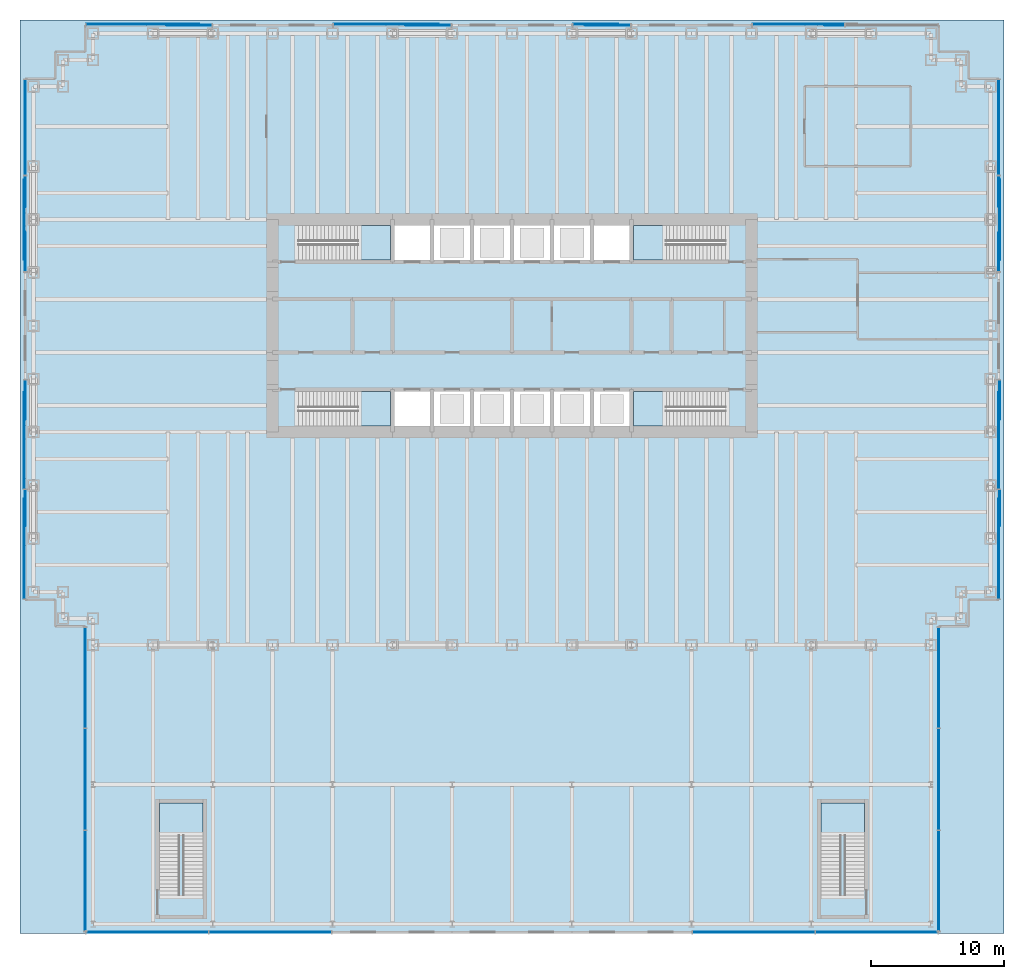
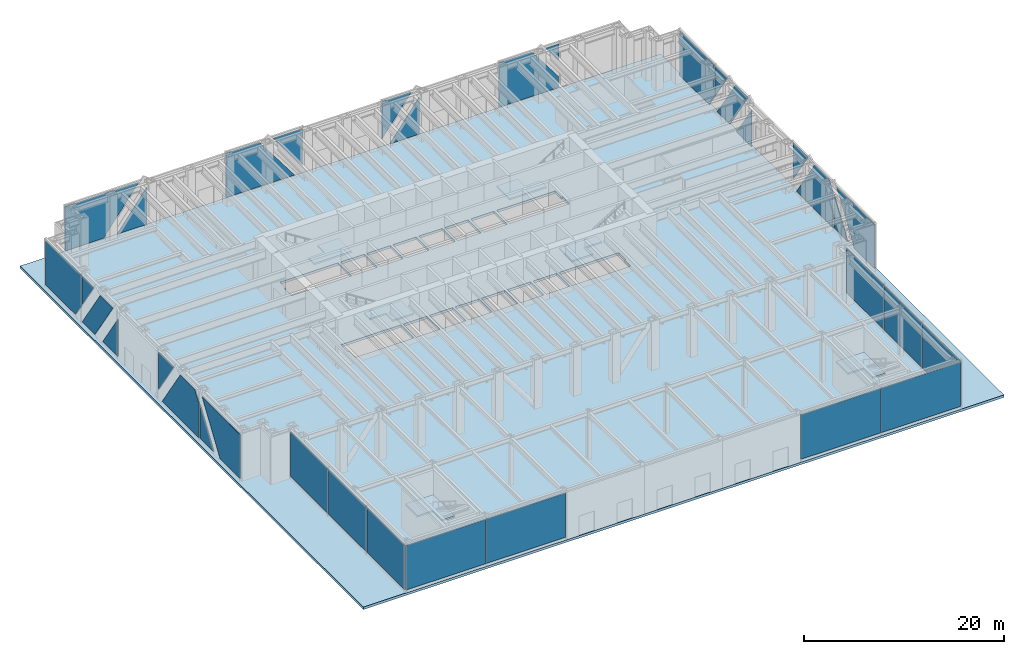
# One storey, part 10 of 17: 34 plates, 7 slabs, 18 elements without a shape of their own.
"""IFC4 building model written with IfcOpenShell, lengths in metres."""

from ifc_helpers import new_model, si_unit, direction, frame, origin, origin_2d, place, context, subcontext, project, spatial, polyline, rectangle, outline, extrude, material, layer, layer_set, type_object, element, aggregate, save


model = new_model("IFC4")

# Units and contexts
model_context = context("Model", 3, precision=1e-05, world=origin(), true_north=direction((0.0, 1.0)))
body_context = subcontext(model_context, "Body", "Model", "MODEL_VIEW")
ifc_project = project(units=[si_unit("LENGTHUNIT", "METRE"), si_unit("AREAUNIT", "SQUARE_METRE"), si_unit("VOLUMEUNIT", "CUBIC_METRE"), si_unit("PLANEANGLEUNIT", "RADIAN"), si_unit("MASSUNIT", "GRAM", prefix="KILO")], contexts=[model_context])

# Site, building, storey
site_placement = place(None, origin())
site = spatial("IfcSite", under=ifc_project, at=site_placement, CompositionType="ELEMENT")
building_placement = place(site_placement, origin())
building = spatial("IfcBuilding", under=site, at=building_placement, Name="Rheinbord Bourse Tower", CompositionType="ELEMENT")
storey_placement = place(building_placement, origin())
storey = spatial("IfcBuildingStorey", under=building, at=storey_placement, Name="L00", CompositionType="ELEMENT", Elevation=0.0)

# Slab
ifc_material_1 = material(Name="Concrete C30/37", Category="concrete")
ifc_layer_1 = layer(ifc_material_1, 0.300048828125)
ifc_layer_set_1 = layer_set([ifc_layer_1], Name="COMPOSITE FLOOR SLAB 300")
slab_type_1 = type_object("IfcSlabType", Name="COMPOSITE FLOOR SLAB 300", PredefinedType="FLOOR", material=ifc_layer_set_1)
slab_1_placement = place(storey_placement, frame((0.0, 0.0, -0.300048828125)))
element("IfcSlab", 1, at=slab_1_placement, inside=storey, type_object=slab_type_1, Name="Floor slab L00", PredefinedType="FLOOR", context=body_context, shape_type="SweptSolid", body=[
    extrude(outline(polyline([(-1.0, -21.699951171875), (-1.0, 47.0), (73.0, 47.0), (73.0, -21.699951171875), (-1.0, -21.699951171875)]), holes=[polyline([(19.949951171875, 19.050048828125), (26.85009765625, 19.050048828125), (26.85009765625, 16.449951171875), (20.10009765625, 16.449951171875), (20.10009765625, 17.64990234375), (19.949951171875, 17.64990234375), (19.949951171875, 19.050048828125)]), polyline([(26.85009765625, 31.550048828125), (26.85009765625, 28.949951171875), (19.949951171875, 28.949951171875), (19.949951171875, 30.35009765625), (20.10009765625, 30.35009765625), (20.10009765625, 31.550048828125), (26.85009765625, 31.550048828125)]), polyline([(45.14990234375, 16.449951171875), (45.14990234375, 19.050048828125), (52.050048828125, 19.050048828125), (52.050048828125, 17.64990234375), (51.89990234375, 17.64990234375), (51.89990234375, 16.449951171875), (45.14990234375, 16.449951171875)]), polyline([(52.050048828125, 28.949951171875), (45.14990234375, 28.949951171875), (45.14990234375, 31.550048828125), (51.89990234375, 31.550048828125), (51.89990234375, 30.35009765625), (52.050048828125, 30.35009765625), (52.050048828125, 28.949951171875)]), polyline([(27.14990234375, 16.449951171875), (27.14990234375, 19.050048828125), (29.85009765625, 19.050048828125), (29.85009765625, 16.449951171875), (27.14990234375, 16.449951171875)]), polyline([(27.14990234375, 28.949951171875), (27.14990234375, 31.550048828125), (29.85009765625, 31.550048828125), (29.85009765625, 28.949951171875), (27.14990234375, 28.949951171875)]), polyline([(30.14990234375, 16.449951171875), (30.14990234375, 19.050048828125), (32.85009765625, 19.050048828125), (32.85009765625, 16.449951171875), (30.14990234375, 16.449951171875)]), polyline([(30.14990234375, 28.949951171875), (30.14990234375, 31.550048828125), (32.85009765625, 31.550048828125), (32.85009765625, 28.949951171875), (30.14990234375, 28.949951171875)]), polyline([(33.14990234375, 16.449951171875), (33.14990234375, 19.050048828125), (35.85009765625, 19.050048828125), (35.85009765625, 16.449951171875), (33.14990234375, 16.449951171875)]), polyline([(33.14990234375, 28.949951171875), (33.14990234375, 31.550048828125), (35.85009765625, 31.550048828125), (35.85009765625, 28.949951171875), (33.14990234375, 28.949951171875)]), polyline([(36.14990234375, 16.449951171875), (36.14990234375, 19.050048828125), (38.85009765625, 19.050048828125), (38.85009765625, 16.449951171875), (36.14990234375, 16.449951171875)]), polyline([(36.14990234375, 28.949951171875), (36.14990234375, 31.550048828125), (38.85009765625, 31.550048828125), (38.85009765625, 28.949951171875), (36.14990234375, 28.949951171875)]), polyline([(39.14990234375, 16.449951171875), (39.14990234375, 19.050048828125), (41.85009765625, 19.050048828125), (41.85009765625, 16.449951171875), (39.14990234375, 16.449951171875)]), polyline([(39.14990234375, 28.949951171875), (39.14990234375, 31.550048828125), (41.85009765625, 31.550048828125), (41.85009765625, 28.949951171875), (39.14990234375, 28.949951171875)]), polyline([(42.14990234375, 16.449951171875), (42.14990234375, 19.050048828125), (44.85009765625, 19.050048828125), (44.85009765625, 16.449951171875), (42.14990234375, 16.449951171875)]), polyline([(42.14990234375, 28.949951171875), (42.14990234375, 31.550048828125), (44.85009765625, 31.550048828125), (44.85009765625, 28.949951171875), (42.14990234375, 28.949951171875)])]), origin(), (0.0, 0.0, 1.0), 0.300048828125),
])

# Curtain wall, plates
ifc_material_2 = material(Name="Dark glass and black aluminium", Category="aluminium")
curtain_wall_type = type_object("IfcCurtainWallType", Name="CW4 DARK GLASS CURTAIN WALL", PredefinedType="USERDEFINED", material=ifc_material_2)
curtain_wall_1_placement = place(storey_placement, origin())
curtain_wall_1 = element("IfcCurtainWall", 2, at=curtain_wall_1_placement, inside=storey, type_object=curtain_wall_type, Name="Curtain wall CW4 S L00", ObjectType="UNITISED CURTAIN WALL", PredefinedType="USERDEFINED")
ifc_material_3 = material(Name="Dark tinted triple insulating glass", Category="glass")
ifc_layer_2 = layer(ifc_material_3, 0.068115234375)
ifc_layer_set_2 = layer_set([ifc_layer_2], Name="CW4 DARK GLASS PANEL")
plate_type = type_object("IfcPlateType", Name="CW4 DARK GLASS PANEL", PredefinedType="CURTAIN_PANEL", material=ifc_layer_set_2)
plate_1_placement = place(storey_placement, frame((8.572509765625, -21.60009765625, 0.300048828125), z_axis=(0.0, 0.0, 1.0), x_axis=(1.0, 0.0, 0.0)))
plate_1 = element("IfcPlate", 3, at=plate_1_placement, type_object=plate_type, Name="CW4 panel 1.1", PredefinedType="CURTAIN_PANEL", context=body_context, shape_type="SweptSolid", body=[
    extrude(rectangle(XDim=9.1650390625, YDim=0.068115234375, at=origin_2d()), origin(), (0.0, 0.0, 1.0), 5.39990234375),
])
plate_2_placement = place(storey_placement, frame((17.827392578125, -21.60009765625, 0.300048828125), z_axis=(0.0, 0.0, 1.0), x_axis=(1.0, 0.0, 0.0)))
plate_2 = element("IfcPlate", 4, at=plate_2_placement, type_object=plate_type, Name="CW4 panel 2.1", PredefinedType="CURTAIN_PANEL", context=body_context, shape_type="SweptSolid", body=[
    extrude(rectangle(XDim=9.1650390625, YDim=0.068115234375, at=origin_2d()), origin(), (0.0, 0.0, 1.0), 5.39990234375),
])
aggregate(curtain_wall_1, [plate_1, plate_2])

curtain_wall_2_placement = place(storey_placement, origin())
curtain_wall_2 = element("IfcCurtainWall", 5, at=curtain_wall_2_placement, inside=storey, type_object=curtain_wall_type, Name="Curtain wall CW4 S L00", ObjectType="UNITISED CURTAIN WALL", PredefinedType="USERDEFINED")
plate_3_placement = place(storey_placement, frame((54.172607421875, -21.60009765625, 0.300048828125), z_axis=(0.0, 0.0, 1.0), x_axis=(1.0, 0.0, 0.0)))
plate_3 = element("IfcPlate", 6, at=plate_3_placement, type_object=plate_type, Name="CW4 panel 1.1", PredefinedType="CURTAIN_PANEL", context=body_context, shape_type="SweptSolid", body=[
    extrude(rectangle(XDim=9.1650390625, YDim=0.068115234375, at=origin_2d()), origin(), (0.0, 0.0, 1.0), 5.39990234375),
])
plate_4_placement = place(storey_placement, frame((63.427490234375, -21.60009765625, 0.300048828125), z_axis=(0.0, 0.0, 1.0), x_axis=(1.0, 0.0, 0.0)))
plate_4 = element("IfcPlate", 7, at=plate_4_placement, type_object=plate_type, Name="CW4 panel 2.1", PredefinedType="CURTAIN_PANEL", context=body_context, shape_type="SweptSolid", body=[
    extrude(rectangle(XDim=9.1650390625, YDim=0.068115234375, at=origin_2d()), origin(), (0.0, 0.0, 1.0), 5.39990234375),
])
aggregate(curtain_wall_2, [plate_3, plate_4])

curtain_wall_3_placement = place(storey_placement, origin())
curtain_wall_3 = element("IfcCurtainWall", 8, at=curtain_wall_3_placement, inside=storey, type_object=curtain_wall_type, Name="Curtain wall CW4 E L00", ObjectType="UNITISED CURTAIN WALL", PredefinedType="USERDEFINED")
plate_5_placement = place(storey_placement, frame((68.10009765625, -17.744140625, 0.300048828125), z_axis=(0.0, 0.0, 1.0), x_axis=(0.0, 1.0, 0.0)))
plate_5 = element("IfcPlate", 9, at=plate_5_placement, type_object=plate_type, Name="CW4 panel 1.1", PredefinedType="CURTAIN_PANEL", context=body_context, shape_type="SweptSolid", body=[
    extrude(rectangle(XDim=7.53173828125, YDim=0.068115234375, at=origin_2d()), origin(), (0.0, 0.0, 1.0), 5.39990234375),
])
plate_6_placement = place(storey_placement, frame((68.10009765625, -10.10009765625, 0.300048828125), z_axis=(0.0, 0.0, 1.0), x_axis=(0.0, 1.0, 0.0)))
plate_6 = element("IfcPlate", 10, at=plate_6_placement, type_object=plate_type, Name="CW4 panel 2.1", PredefinedType="CURTAIN_PANEL", context=body_context, shape_type="SweptSolid", body=[
    extrude(rectangle(XDim=7.57666015625, YDim=0.068115234375, at=origin_2d()), origin(), (0.0, 0.0, 1.0), 5.39990234375),
])
plate_7_placement = place(storey_placement, frame((68.10009765625, -2.455810546875, 0.300048828125), z_axis=(0.0, 0.0, 1.0), x_axis=(0.0, 1.0, 0.0)))
plate_7 = element("IfcPlate", 11, at=plate_7_placement, type_object=plate_type, Name="CW4 panel 3.1", PredefinedType="CURTAIN_PANEL", context=body_context, shape_type="SweptSolid", body=[
    extrude(rectangle(XDim=7.53173828125, YDim=0.068115234375, at=origin_2d()), origin(), (0.0, 0.0, 1.0), 5.39990234375),
])
aggregate(curtain_wall_3, [plate_5, plate_6, plate_7])

curtain_wall_4_placement = place(storey_placement, origin())
curtain_wall_4 = element("IfcCurtainWall", 12, at=curtain_wall_4_placement, inside=storey, type_object=curtain_wall_type, Name="Curtain wall CW4 E L00", ObjectType="UNITISED CURTAIN WALL", PredefinedType="USERDEFINED")
plate_8_placement = place(storey_placement, frame((72.63427734375, 3.489990234375, 0.300048828125), z_axis=(-1.0, 0.0, 0.0), x_axis=(0.0, 0.0, 1.0)))
plate_8 = element("IfcPlate", 13, at=plate_8_placement, type_object=plate_type, Name="CW4 glass facet 1", PredefinedType="CURTAIN_PANEL", context=body_context, shape_type="SweptSolid", body=[
    extrude(outline(polyline([(0.0, 0.0), (5.39990234375, 0.0), (5.39990234375, 7.5830078125), (0.0, 3.98291015625), (0.0, 0.0)])), origin(), (0.0, 0.0, 1.0), 0.068115234375),
])
plate_9_placement = place(storey_placement, frame((72.70703125, 11.655029296875, 0.300048828125), z_axis=(-1.0, 0.0, 0.0), x_axis=(0.0, -1.0, 0.0)))
plate_9 = element("IfcPlate", 14, at=plate_9_placement, type_object=plate_type, Name="CW4 glass facet 2", PredefinedType="CURTAIN_PANEL", context=body_context, shape_type="SweptSolid", body=[
    extrude(outline(polyline([(0.0, 0.0), (2.72802734375, 0.0), (0.0, 4.092041015625), (0.0, 0.0)])), origin(), (0.0, 0.0, 1.0), 0.068115234375),
])
plate_10_placement = place(storey_placement, frame((72.63427734375, 11.7451171875, 0.300048828125), z_axis=(-1.0, 0.0, 0.0), x_axis=(0.0, 0.0, 1.0)))
plate_10 = element("IfcPlate", 15, at=plate_10_placement, type_object=plate_type, Name="CW4 glass facet 1", PredefinedType="CURTAIN_PANEL", context=body_context, shape_type="SweptSolid", body=[
    extrude(outline(polyline([(0.0, 0.0), (4.22705078125, 0.0), (5.39990234375, 0.781982421875), (5.39990234375, 3.727783203125), (0.0, 7.327880859375), (0.0, 0.0)])), origin(), (0.0, 0.0, 1.0), 0.068115234375),
])
plate_11_placement = place(storey_placement, frame((72.70703125, 19.909912109375, 5.699951171875), z_axis=(-1.0, 0.0, 0.0), x_axis=(0.0, 0.0, -1.0)))
plate_11 = element("IfcPlate", 16, at=plate_11_placement, type_object=plate_type, Name="CW4 glass facet 2", PredefinedType="CURTAIN_PANEL", context=body_context, shape_type="SweptSolid", body=[
    extrude(outline(polyline([(0.0, 0.0), (4.473876953125, 0.0), (0.0, 2.98291015625), (0.0, 0.0)])), origin(), (0.0, 0.0, 1.0), 0.068115234375),
])
aggregate(curtain_wall_4, [plate_8, plate_9, plate_10, plate_11])

curtain_wall_5_placement = place(storey_placement, origin())
curtain_wall_5 = element("IfcCurtainWall", 17, at=curtain_wall_5_placement, inside=storey, type_object=curtain_wall_type, Name="Curtain wall CW4 E L00", ObjectType="UNITISED CURTAIN WALL", PredefinedType="USERDEFINED")
plate_12_placement = place(storey_placement, frame((72.63427734375, 28.090087890625, 0.300048828125), z_axis=(-1.0, 0.0, 0.0), x_axis=(0.0, 0.0, 1.0)))
plate_12 = element("IfcPlate", 18, at=plate_12_placement, type_object=plate_type, Name="CW4 glass facet 1", PredefinedType="CURTAIN_PANEL", context=body_context, shape_type="SweptSolid", body=[
    extrude(outline(polyline([(0.0, 0.0), (4.473876953125, 0.0), (0.0, 2.98291015625), (0.0, 0.0)])), origin(), (0.0, 0.0, 1.0), 0.068115234375),
])
plate_13_placement = place(storey_placement, frame((72.70703125, 32.527099609375, 0.300048828125), z_axis=(-1.0, 0.0, 0.0), x_axis=(0.0, -0.554717558338, 0.832038719335)))
plate_13 = element("IfcPlate", 19, at=plate_13_placement, type_object=plate_type, Name="CW4 glass facet 2", PredefinedType="CURTAIN_PANEL", context=body_context, shape_type="SweptSolid", body=[
    extrude(outline(polyline([(0.0, 0.0), (6.489990234375, 0.0), (5.07763671875, 2.1181640625), (-1.412353515625, 2.1181640625), (0.0, 0.0)])), origin(), (0.0, 0.0, 1.0), 0.068115234375),
])
plate_14_placement = place(storey_placement, frame((72.63427734375, 35.2548828125, 5.699951171875), z_axis=(-1.0, 0.0, 0.0), x_axis=(0.0, 0.0, -1.0)))
plate_14 = element("IfcPlate", 20, at=plate_14_placement, type_object=plate_type, Name="CW4 glass facet 3", PredefinedType="CURTAIN_PANEL", context=body_context, shape_type="SweptSolid", body=[
    extrude(outline(polyline([(0.0, 0.0), (3.491943359375, 0.0), (0.0, 2.327880859375), (0.0, 0.0)])), origin(), (0.0, 0.0, 1.0), 0.068115234375),
])
plate_15_placement = place(storey_placement, frame((72.63427734375, 35.344970703125, 5.699951171875), z_axis=(-1.0, 0.0, 0.0), x_axis=(0.0, 1.0, 0.0)))
plate_15 = element("IfcPlate", 21, at=plate_15_placement, type_object=plate_type, Name="CW4 glass facet 1", PredefinedType="CURTAIN_PANEL", context=body_context, shape_type="SweptSolid", body=[
    extrude(outline(polyline([(0.0, 0.0), (7.1650390625, 0.0), (7.1650390625, 5.39990234375), (1.18212890625, 5.39990234375), (0.0, 3.626953125), (0.0, 0.0)])), origin(), (0.0, 0.0, 1.0), 0.068115234375),
])
aggregate(curtain_wall_5, [plate_12, plate_13, plate_14, plate_15])

curtain_wall_6_placement = place(storey_placement, origin())
curtain_wall_6 = element("IfcCurtainWall", 22, at=curtain_wall_6_placement, inside=storey, type_object=curtain_wall_type, Name="Curtain wall CW4 N L00", ObjectType="UNITISED CURTAIN WALL", PredefinedType="USERDEFINED")
plate_16_placement = place(storey_placement, frame((61.0048828125, 46.63427734375, 5.699951171875), z_axis=(0.0, -1.0, 0.0), x_axis=(-1.0, 0.0, 0.0)))
plate_16 = element("IfcPlate", 23, at=plate_16_placement, type_object=plate_type, Name="CW4 glass facet 1", PredefinedType="CURTAIN_PANEL", context=body_context, shape_type="SweptSolid", body=[
    extrude(outline(polyline([(0.0, 0.0), (1.52392578125, 0.0), (0.0, 2.031982421875), (0.0, 0.0)])), origin(), (0.0, 0.0, 1.0), 0.068115234375),
])
plate_17_placement = place(storey_placement, frame((54.090087890625, 46.70703125, 5.699951171875), z_axis=(0.0, -1.0, 0.0), x_axis=(0.0, 0.0, -1.0)))
plate_17 = element("IfcPlate", 24, at=plate_17_placement, type_object=plate_type, Name="CW4 glass facet 2", PredefinedType="CURTAIN_PANEL", context=body_context, shape_type="SweptSolid", body=[
    extrude(outline(polyline([(0.0, 0.0), (5.39990234375, 0.0), (5.39990234375, 6.914794921875), (4.0478515625, 6.914794921875), (0.0, 3.87890625), (0.0, 0.0)])), origin(), (0.0, 0.0, 1.0), 0.068115234375),
])
aggregate(curtain_wall_6, [plate_16, plate_17])

curtain_wall_7_placement = place(storey_placement, origin())
curtain_wall_7 = element("IfcCurtainWall", 25, at=curtain_wall_7_placement, inside=storey, type_object=curtain_wall_type, Name="Curtain wall CW4 N L00", ObjectType="UNITISED CURTAIN WALL", PredefinedType="USERDEFINED")
plate_18_placement = place(storey_placement, frame((44.909912109375, 46.63427734375, 0.300048828125), z_axis=(0.0, -1.0, 0.0), x_axis=(0.0, 0.0, 1.0)))
plate_18 = element("IfcPlate", 26, at=plate_18_placement, type_object=plate_type, Name="CW4 glass facet 1", PredefinedType="CURTAIN_PANEL", context=body_context, shape_type="SweptSolid", body=[
    extrude(outline(polyline([(0.0, 0.0), (4.572021484375, 0.0), (0.0, 3.428955078125), (0.0, 0.0)])), origin(), (0.0, 0.0, 1.0), 0.068115234375),
])
plate_19_placement = place(storey_placement, frame((40.590087890625, 46.70703125, 5.699951171875), z_axis=(0.0, -1.0, 0.0), x_axis=(0.0, 0.0, -1.0)))
plate_19 = element("IfcPlate", 27, at=plate_19_placement, type_object=plate_type, Name="CW4 glass facet 2", PredefinedType="CURTAIN_PANEL", context=body_context, shape_type="SweptSolid", body=[
    extrude(outline(polyline([(0.0, 0.0), (4.572021484375, 0.0), (0.0, 3.428955078125), (0.0, 0.0)])), origin(), (0.0, 0.0, 1.0), 0.068115234375),
])
aggregate(curtain_wall_7, [plate_18, plate_19])

curtain_wall_8_placement = place(storey_placement, origin())
curtain_wall_8 = element("IfcCurtainWall", 28, at=curtain_wall_8_placement, inside=storey, type_object=curtain_wall_type, Name="Curtain wall CW4 N L00", ObjectType="UNITISED CURTAIN WALL", PredefinedType="USERDEFINED")
plate_20_placement = place(storey_placement, frame((31.409912109375, 46.63427734375, 5.699951171875), z_axis=(0.0, -1.0, 0.0), x_axis=(-1.0, 0.0, 0.0)))
plate_20 = element("IfcPlate", 29, at=plate_20_placement, type_object=plate_type, Name="CW4 glass facet 1", PredefinedType="CURTAIN_PANEL", context=body_context, shape_type="SweptSolid", body=[
    extrude(outline(polyline([(0.0, 0.0), (3.428955078125, 0.0), (0.0, 4.572021484375), (0.0, 0.0)])), origin(), (0.0, 0.0, 1.0), 0.068115234375),
])
plate_21_placement = place(storey_placement, frame((22.590087890625, 46.70703125, 5.699951171875), z_axis=(0.0, -1.0, 0.0), x_axis=(0.0, 0.0, -1.0)))
plate_21 = element("IfcPlate", 30, at=plate_21_placement, type_object=plate_type, Name="CW4 glass facet 2", PredefinedType="CURTAIN_PANEL", context=body_context, shape_type="SweptSolid", body=[
    extrude(outline(polyline([(0.0, 0.0), (5.39990234375, 0.0), (5.39990234375, 7.928955078125), (0.0, 3.87890625), (0.0, 0.0)])), origin(), (0.0, 0.0, 1.0), 0.068115234375),
])
aggregate(curtain_wall_8, [plate_20, plate_21])

curtain_wall_9_placement = place(storey_placement, origin())
curtain_wall_9 = element("IfcCurtainWall", 31, at=curtain_wall_9_placement, inside=storey, type_object=curtain_wall_type, Name="Curtain wall CW4 N L00", ObjectType="UNITISED CURTAIN WALL", PredefinedType="USERDEFINED")
plate_22_placement = place(storey_placement, frame((13.409912109375, 46.63427734375, 0.300048828125), z_axis=(0.0, -1.0, 0.0), x_axis=(0.0, 0.0, 1.0)))
plate_22 = element("IfcPlate", 32, at=plate_22_placement, type_object=plate_type, Name="CW4 glass facet 1", PredefinedType="CURTAIN_PANEL", context=body_context, shape_type="SweptSolid", body=[
    extrude(outline(polyline([(0.0, 0.0), (4.572021484375, 0.0), (0.0, 3.428955078125), (0.0, 0.0)])), origin(), (0.0, 0.0, 1.0), 0.068115234375),
])
plate_23_placement = place(storey_placement, frame((3.989990234375, 46.70703125, 5.699951171875), z_axis=(0.0, -1.0, 0.0), x_axis=(0.0, 0.0, -1.0)))
plate_23 = element("IfcPlate", 33, at=plate_23_placement, type_object=plate_type, Name="CW4 glass facet 2", PredefinedType="CURTAIN_PANEL", context=body_context, shape_type="SweptSolid", body=[
    extrude(outline(polyline([(0.0, 0.0), (5.39990234375, 0.0), (5.39990234375, 4.47900390625), (0.0, 8.529052734375), (0.0, 0.0)])), origin(), (0.0, 0.0, 1.0), 0.068115234375),
])
aggregate(curtain_wall_9, [plate_22, plate_23])

curtain_wall_10_placement = place(storey_placement, origin())
curtain_wall_10 = element("IfcCurtainWall", 34, at=curtain_wall_10_placement, inside=storey, type_object=curtain_wall_type, Name="Curtain wall CW4 W L00", ObjectType="UNITISED CURTAIN WALL", PredefinedType="USERDEFINED")
plate_24_placement = place(storey_placement, frame((-0.63427734375, 42.510009765625, 0.300048828125), z_axis=(1.0, 0.0, 0.0), x_axis=(0.0, 0.0, 1.0)))
plate_24 = element("IfcPlate", 35, at=plate_24_placement, type_object=plate_type, Name="CW4 glass facet 1", PredefinedType="CURTAIN_PANEL", context=body_context, shape_type="SweptSolid", body=[
    extrude(outline(polyline([(0.0, 0.0), (5.39990234375, 0.0), (5.39990234375, 7.1650390625), (1.77294921875, 7.1650390625), (0.0, 5.98291015625), (0.0, 0.0)])), origin(), (0.0, 0.0, 1.0), 0.068115234375),
])
plate_25_placement = place(storey_placement, frame((-0.63427734375, 35.2548828125, 5.699951171875), z_axis=(1.0, 0.0, 0.0), x_axis=(0.0, -1.0, 0.0)))
plate_25 = element("IfcPlate", 36, at=plate_25_placement, type_object=plate_type, Name="CW4 glass facet 1", PredefinedType="CURTAIN_PANEL", context=body_context, shape_type="SweptSolid", body=[
    extrude(outline(polyline([(0.0, 0.0), (2.327880859375, 0.0), (0.0, 3.491943359375), (0.0, 0.0)])), origin(), (0.0, 0.0, 1.0), 0.068115234375),
])
plate_26_placement = place(storey_placement, frame((-0.70703125, 35.072998046875, 0.300048828125), z_axis=(1.0, 0.0, 0.0), x_axis=(0.0, -0.554717558338, 0.832038719335)))
plate_26 = element("IfcPlate", 37, at=plate_26_placement, type_object=plate_type, Name="CW4 glass facet 2", PredefinedType="CURTAIN_PANEL", context=body_context, shape_type="SweptSolid", body=[
    extrude(outline(polyline([(0.0, 0.0), (6.489990234375, 0.0), (7.902099609375, 2.1181640625), (1.412353515625, 2.1181640625), (0.0, 0.0)])), origin(), (0.0, 0.0, 1.0), 0.068115234375),
])
plate_27_placement = place(storey_placement, frame((-0.63427734375, 28.090087890625, 0.300048828125), z_axis=(1.0, 0.0, 0.0), x_axis=(0.0, 1.0, 0.0)))
plate_27 = element("IfcPlate", 38, at=plate_27_placement, type_object=plate_type, Name="CW4 glass facet 3", PredefinedType="CURTAIN_PANEL", context=body_context, shape_type="SweptSolid", body=[
    extrude(outline(polyline([(0.0, 0.0), (2.98291015625, 0.0), (0.0, 4.473876953125), (0.0, 0.0)])), origin(), (0.0, 0.0, 1.0), 0.068115234375),
])
aggregate(curtain_wall_10, [plate_24, plate_25, plate_26, plate_27])

curtain_wall_11_placement = place(storey_placement, origin())
curtain_wall_11 = element("IfcCurtainWall", 39, at=curtain_wall_11_placement, inside=storey, type_object=curtain_wall_type, Name="Curtain wall CW4 W L00", ObjectType="UNITISED CURTAIN WALL", PredefinedType="USERDEFINED")
plate_28_placement = place(storey_placement, frame((-0.63427734375, 19.909912109375, 5.699951171875), z_axis=(1.0, 0.0, 0.0), x_axis=(0.0, -1.0, 0.0)))
plate_28 = element("IfcPlate", 40, at=plate_28_placement, type_object=plate_type, Name="CW4 glass facet 1", PredefinedType="CURTAIN_PANEL", context=body_context, shape_type="SweptSolid", body=[
    extrude(outline(polyline([(0.0, 0.0), (2.98291015625, 0.0), (0.0, 4.473876953125), (0.0, 0.0)])), origin(), (0.0, 0.0, 1.0), 0.068115234375),
])
plate_29_placement = place(storey_placement, frame((-0.70703125, 11.7451171875, 0.300048828125), z_axis=(1.0, 0.0, 0.0), x_axis=(0.0, 1.0, 0.0)))
plate_29 = element("IfcPlate", 41, at=plate_29_placement, type_object=plate_type, Name="CW4 glass facet 2", PredefinedType="CURTAIN_PANEL", context=body_context, shape_type="SweptSolid", body=[
    extrude(outline(polyline([(0.0, 0.0), (7.327880859375, 0.0), (3.727783203125, 5.39990234375), (0.781982421875, 5.39990234375), (0.0, 4.22705078125), (0.0, 0.0)])), origin(), (0.0, 0.0, 1.0), 0.068115234375),
])
plate_30_placement = place(storey_placement, frame((-0.63427734375, 11.655029296875, 0.300048828125), z_axis=(1.0, 0.0, 0.0), x_axis=(0.0, 0.0, 1.0)))
plate_30 = element("IfcPlate", 42, at=plate_30_placement, type_object=plate_type, Name="CW4 glass facet 1", PredefinedType="CURTAIN_PANEL", context=body_context, shape_type="SweptSolid", body=[
    extrude(outline(polyline([(0.0, 0.0), (4.092041015625, 0.0), (0.0, 2.72802734375), (0.0, 0.0)])), origin(), (0.0, 0.0, 1.0), 0.068115234375),
])
plate_31_placement = place(storey_placement, frame((-0.70703125, 3.489990234375, 5.699951171875), z_axis=(1.0, 0.0, 0.0), x_axis=(0.0, 0.0, -1.0)))
plate_31 = element("IfcPlate", 43, at=plate_31_placement, type_object=plate_type, Name="CW4 glass facet 2", PredefinedType="CURTAIN_PANEL", context=body_context, shape_type="SweptSolid", body=[
    extrude(outline(polyline([(0.0, 0.0), (5.39990234375, 0.0), (5.39990234375, 3.98291015625), (0.0, 7.5830078125), (0.0, 0.0)])), origin(), (0.0, 0.0, 1.0), 0.068115234375),
])
aggregate(curtain_wall_11, [plate_28, plate_29, plate_30, plate_31])

curtain_wall_12_placement = place(storey_placement, origin())
curtain_wall_12 = element("IfcCurtainWall", 44, at=curtain_wall_12_placement, inside=storey, type_object=curtain_wall_type, Name="Curtain wall CW4 W L00", ObjectType="UNITISED CURTAIN WALL", PredefinedType="USERDEFINED")
plate_32_placement = place(storey_placement, frame((3.89990234375, -2.455810546875, 0.300048828125), z_axis=(0.0, 0.0, 1.0), x_axis=(0.0, -1.0, 0.0)))
plate_32 = element("IfcPlate", 45, at=plate_32_placement, type_object=plate_type, Name="CW4 panel 1.1", PredefinedType="CURTAIN_PANEL", context=body_context, shape_type="SweptSolid", body=[
    extrude(rectangle(XDim=7.53173828125, YDim=0.068115234375, at=origin_2d()), origin(), (0.0, 0.0, 1.0), 5.39990234375),
])
plate_33_placement = place(storey_placement, frame((3.89990234375, -10.10009765625, 0.300048828125), z_axis=(0.0, 0.0, 1.0), x_axis=(0.0, -1.0, 0.0)))
plate_33 = element("IfcPlate", 46, at=plate_33_placement, type_object=plate_type, Name="CW4 panel 2.1", PredefinedType="CURTAIN_PANEL", context=body_context, shape_type="SweptSolid", body=[
    extrude(rectangle(XDim=7.57666015625, YDim=0.068115234375, at=origin_2d()), origin(), (0.0, 0.0, 1.0), 5.39990234375),
])
plate_34_placement = place(storey_placement, frame((3.89990234375, -17.744140625, 0.300048828125), z_axis=(0.0, 0.0, 1.0), x_axis=(0.0, -1.0, 0.0)))
plate_34 = element("IfcPlate", 47, at=plate_34_placement, type_object=plate_type, Name="CW4 panel 3.1", PredefinedType="CURTAIN_PANEL", context=body_context, shape_type="SweptSolid", body=[
    extrude(rectangle(XDim=7.53173828125, YDim=0.068115234375, at=origin_2d()), origin(), (0.0, 0.0, 1.0), 5.39990234375),
])
aggregate(curtain_wall_12, [plate_32, plate_33, plate_34])

# Stair, slab
ifc_material_4 = material(Name="Concrete C30/37", Category="concrete")
stair_type_1 = type_object("IfcStairType", Name="CORE STAIR HALF TURN 6000", PredefinedType="HALF_TURN_STAIR", material=ifc_material_4)
stair_1_placement = place(storey_placement, origin())
stair_1 = element("IfcStair", 48, at=stair_1_placement, inside=storey, type_object=stair_type_1, Name="Stair ST1 L00, type CS1", PredefinedType="HALF_TURN_STAIR")
ifc_material_5 = material(Name="Concrete C30/37", Category="concrete")
ifc_layer_3 = layer(ifc_material_5, 0.199951171875)
ifc_layer_set_3 = layer_set([ifc_layer_3], Name="STAIR LANDING 200")
slab_type_2 = type_object("IfcSlabType", Name="STAIR LANDING 200", PredefinedType="LANDING", material=ifc_layer_set_3)
slab_2_placement = place(storey_placement, frame((0.0, 0.0, 2.800048828125)))
slab_2 = element("IfcSlab", 49, at=slab_2_placement, type_object=slab_type_2, Name="Half landing ST1 L00", PredefinedType="LANDING", context=body_context, shape_type="SweptSolid", body=[
    extrude(outline(polyline([(24.429931640625, 16.449951171875), (26.85009765625, 16.449951171875), (26.85009765625, 19.050048828125), (22.587890625, 19.050048828125), (22.587890625, 17.85009765625), (24.429931640625, 17.85009765625), (24.429931640625, 16.449951171875)])), origin(), (0.0, 0.0, 1.0), 0.199951171875),
])
aggregate(stair_1, [slab_2])

stair_2_placement = place(storey_placement, origin())
stair_2 = element("IfcStair", 50, at=stair_2_placement, inside=storey, type_object=stair_type_1, Name="Stair ST2 L00, type CS1", PredefinedType="HALF_TURN_STAIR")
slab_3_placement = place(storey_placement, frame((0.0, 0.0, 2.800048828125)))
slab_3 = element("IfcSlab", 51, at=slab_3_placement, type_object=slab_type_2, Name="Half landing ST2 L00", PredefinedType="LANDING", context=body_context, shape_type="SweptSolid", body=[
    extrude(outline(polyline([(22.587890625, 28.949951171875), (26.85009765625, 28.949951171875), (26.85009765625, 31.550048828125), (24.429931640625, 31.550048828125), (24.429931640625, 30.14990234375), (22.587890625, 30.14990234375), (22.587890625, 28.949951171875)])), origin(), (0.0, 0.0, 1.0), 0.199951171875),
])
aggregate(stair_2, [slab_3])

stair_3_placement = place(storey_placement, origin())
stair_3 = element("IfcStair", 52, at=stair_3_placement, inside=storey, type_object=stair_type_1, Name="Stair ST3 L00, type CS1", PredefinedType="HALF_TURN_STAIR")
slab_4_placement = place(storey_placement, frame((0.0, 0.0, 2.800048828125)))
slab_4 = element("IfcSlab", 53, at=slab_4_placement, type_object=slab_type_2, Name="Half landing ST3 L00", PredefinedType="LANDING", context=body_context, shape_type="SweptSolid", body=[
    extrude(outline(polyline([(45.14990234375, 16.449951171875), (47.570068359375, 16.449951171875), (47.570068359375, 17.85009765625), (49.412109375, 17.85009765625), (49.412109375, 19.050048828125), (45.14990234375, 19.050048828125), (45.14990234375, 16.449951171875)])), origin(), (0.0, 0.0, 1.0), 0.199951171875),
])
aggregate(stair_3, [slab_4])

stair_4_placement = place(storey_placement, origin())
stair_4 = element("IfcStair", 54, at=stair_4_placement, inside=storey, type_object=stair_type_1, Name="Stair ST4 L00, type CS1", PredefinedType="HALF_TURN_STAIR")
slab_5_placement = place(storey_placement, frame((0.0, 0.0, 2.800048828125)))
slab_5 = element("IfcSlab", 55, at=slab_5_placement, type_object=slab_type_2, Name="Half landing ST4 L00", PredefinedType="LANDING", context=body_context, shape_type="SweptSolid", body=[
    extrude(outline(polyline([(45.14990234375, 28.949951171875), (49.412109375, 28.949951171875), (49.412109375, 30.14990234375), (47.570068359375, 30.14990234375), (47.570068359375, 31.550048828125), (45.14990234375, 31.550048828125), (45.14990234375, 28.949951171875)])), origin(), (0.0, 0.0, 1.0), 0.199951171875),
])
aggregate(stair_4, [slab_5])

ifc_material_6 = material(Name="Concrete C30/37", Category="concrete")
stair_type_2 = type_object("IfcStairType", Name="PODIUM STAIR HALF TURN", PredefinedType="HALF_TURN_STAIR", material=ifc_material_6)
stair_5_placement = place(storey_placement, origin())
stair_5 = element("IfcStair", 56, at=stair_5_placement, inside=storey, type_object=stair_type_2, Name="Stair ST5 L00, type PS1", PredefinedType="HALF_TURN_STAIR")
slab_6_placement = place(storey_placement, frame((0.0, 0.0, 2.800048828125)))
slab_6 = element("IfcSlab", 57, at=slab_6_placement, type_object=slab_type_2, Name="Half landing ST5 L00", PredefinedType="LANDING", context=body_context, shape_type="SweptSolid", body=[
    extrude(outline(polyline([(9.5, -14.320068359375), (11.25, -14.320068359375), (11.25, -16.162109375), (12.75, -16.162109375), (12.75, -11.89990234375), (9.5, -11.89990234375), (9.5, -14.320068359375)])), origin(), (0.0, 0.0, 1.0), 0.199951171875),
])
aggregate(stair_5, [slab_6])

stair_6_placement = place(storey_placement, origin())
stair_6 = element("IfcStair", 58, at=stair_6_placement, inside=storey, type_object=stair_type_2, Name="Stair ST6 L00, type PS1", PredefinedType="HALF_TURN_STAIR")
slab_7_placement = place(storey_placement, frame((0.0, 0.0, 2.800048828125)))
slab_7 = element("IfcSlab", 59, at=slab_7_placement, type_object=slab_type_2, Name="Half landing ST6 L00", PredefinedType="LANDING", context=body_context, shape_type="SweptSolid", body=[
    extrude(outline(polyline([(59.25, -14.320068359375), (61.0, -14.320068359375), (61.0, -16.162109375), (62.5, -16.162109375), (62.5, -11.89990234375), (59.25, -11.89990234375), (59.25, -14.320068359375)])), origin(), (0.0, 0.0, 1.0), 0.199951171875),
])
aggregate(stair_6, [slab_7])

save(model, "model.ifc")
